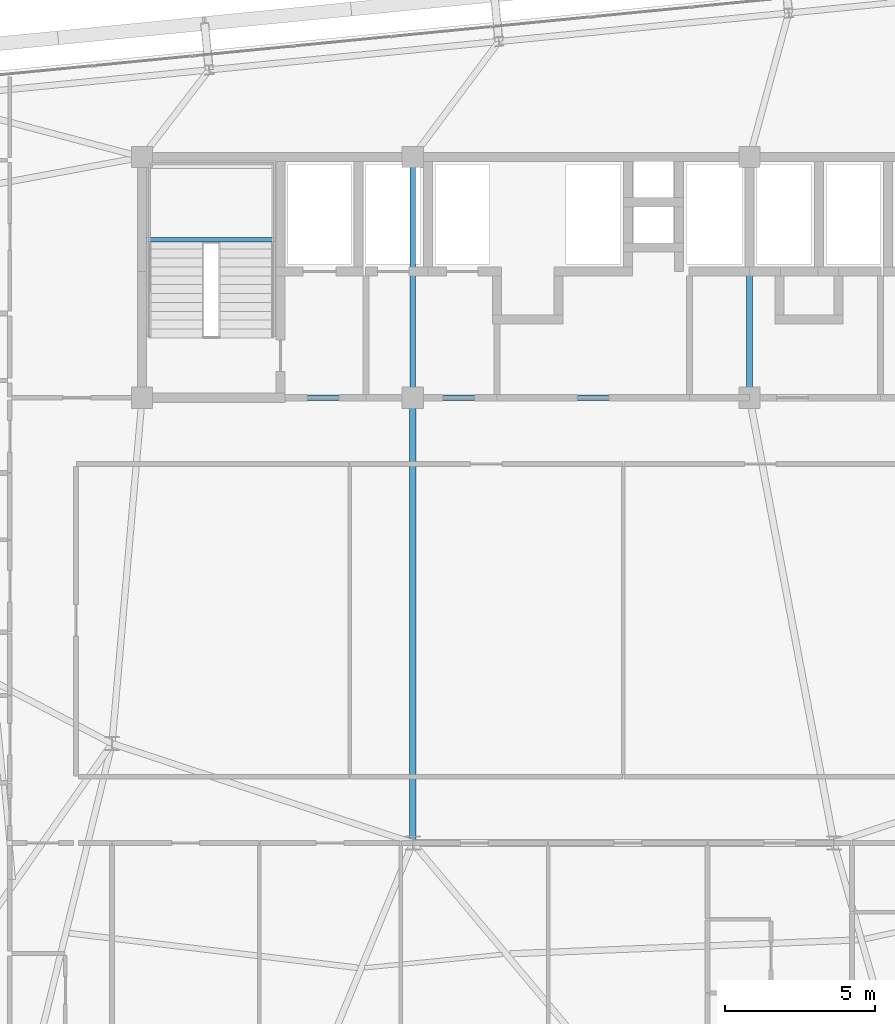
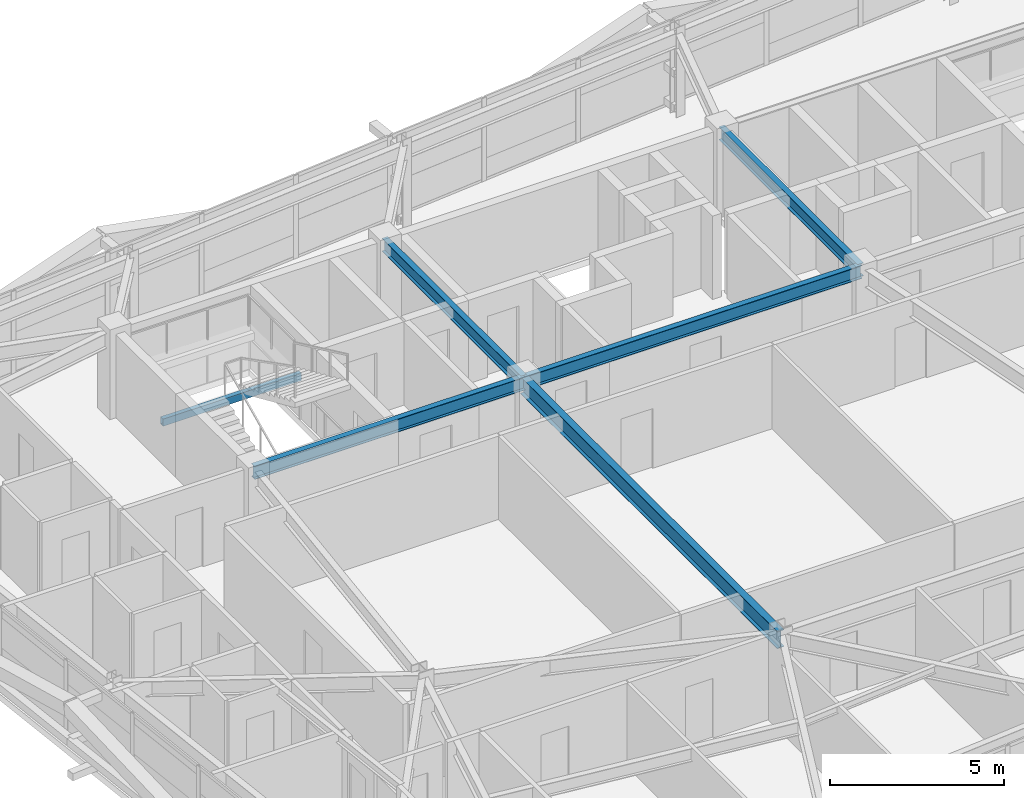
# One storey, part 16 of 53: 6 beams.
"""IFC4 building model written with IfcOpenShell, lengths in metres."""

from ifc_helpers import new_model, si_unit, direction, frame, origin, origin_2d, place, context, subcontext, project, spatial, hollow_rectangle, i_section, extrude, source, transform, mapped, material, material_profile, profile_set, type_object, element, save


model = new_model("IFC4")

# Units and contexts
model_context = context("Model", 3, precision=1e-05, world=origin(), true_north=direction((0.0, 1.0)))
body_context = subcontext(model_context, "Body", "Model", "MODEL_VIEW")
ifc_project = project(units=[si_unit("LENGTHUNIT", "METRE"), si_unit("AREAUNIT", "SQUARE_METRE"), si_unit("VOLUMEUNIT", "CUBIC_METRE"), si_unit("PLANEANGLEUNIT", "RADIAN"), si_unit("MASSUNIT", "GRAM", prefix="KILO")], contexts=[model_context])

# Site, building, storey
site_placement = place(None, origin())
site = spatial("IfcSite", under=ifc_project, at=site_placement, CompositionType="ELEMENT")
building_placement = place(site_placement, origin())
building = spatial("IfcBuilding", under=site, at=building_placement, Name="Taldren Reach Tower", CompositionType="ELEMENT")
storey_placement = place(building_placement, frame((0.0, 0.0, 68.25)))
storey = spatial("IfcBuildingStorey", under=building, at=storey_placement, Name="L20", CompositionType="ELEMENT", Elevation=68.25)

# Beams
ifc_material_1 = material(Name="Steel Gr 350 (350PLUS)", Category="steel")
ifc_material_profile_1 = material_profile(ifc_material_1, i_section(OverallWidth=0.19091796875, OverallDepth=0.4599609375, WebThickness=0.010009765625, FlangeThickness=0.01611328125, at=origin_2d()), Name="460UB82.1")
ifc_profile_set_1 = profile_set([ifc_material_profile_1], Name="Steel Gr 350 (350PLUS)")
beam_type_1 = type_object("IfcBeamType", Name="BM-UB460A", PredefinedType="BEAM", material=ifc_profile_set_1)
shared_shape_1 = source(origin(), body_context, "Body", "SweptSolid", [
    extrude(i_section(OverallWidth=0.19091796875, OverallDepth=0.4599609375, WebThickness=0.010009765625, FlangeThickness=0.01611328125, at=origin_2d()), origin(), (0.0, 0.0, 1.0), 9.0),
])
beam_1_placement = place(storey_placement, frame((19.0, 24.0, 2.699951171875), z_axis=(1.0, 0.0, 0.0), x_axis=(0.0, 1.0, 0.0)))
element("IfcBeam", 1, at=beam_1_placement, inside=storey, type_object=beam_type_1, Name="Core-spine girder L20-SP01", PredefinedType="BEAM", context=body_context, shape_type="MappedRepresentation", body=[
    mapped(shared_shape_1, transform((0.0, 0.0, 0.0), scale=1.0)),
])
shared_shape_2 = source(origin(), body_context, "Body", "SweptSolid", [
    extrude(i_section(OverallWidth=0.19091796875, OverallDepth=0.4599609375, WebThickness=0.010009765625, FlangeThickness=0.01611328125, at=origin_2d()), origin(), (0.0, 0.0, 1.0), 11.199951171875),
])
beam_2_placement = place(storey_placement, frame((28.0, 24.0, 2.699951171875), z_axis=(1.0, 0.0, 0.0), x_axis=(0.0, 1.0, 0.0)))
element("IfcBeam", 2, at=beam_2_placement, inside=storey, type_object=beam_type_1, Name="Core-spine girder L20-SP02", PredefinedType="BEAM", context=body_context, shape_type="MappedRepresentation", body=[
    mapped(shared_shape_2, transform((0.0, 0.0, 0.0), scale=1.0)),
])
shared_shape_3 = source(origin(), body_context, "Body", "SweptSolid", [
    extrude(i_section(OverallWidth=0.19091796875, OverallDepth=0.4599609375, WebThickness=0.010009765625, FlangeThickness=0.01611328125, at=origin_2d()), origin(), (0.0, 0.0, 1.0), 8.0),
])
for number, where, z_axis, x_axis, name in (
    (3, (28.0, 24.0, 2.699951171875), (0.0, 1.0, 0.0), (-1.0, 0.0, 0.0), "Core-spine girder L20-SP07"),
    (4, (39.199951171875, 24.0, 2.699951171875), (0.0, 1.0, 0.0), (-1.0, 0.0, 0.0), "Core-spine girder L20-SP08"),
):
    element("IfcBeam", number, at=place(storey_placement, frame(where, z_axis=z_axis, x_axis=x_axis)), inside=storey, type_object=beam_type_1, Name=name, PredefinedType="BEAM", context=body_context, shape_type="MappedRepresentation", body=[
        mapped(shared_shape_3, transform((0.0, 0.0, 0.0), scale=1.0)),
    ])
ifc_material_profile_2 = material_profile(ifc_material_1, i_section(OverallWidth=0.22802734375, OverallDepth=0.60205078125, WebThickness=0.010498046875, FlangeThickness=0.014892578125, at=origin_2d()), Name="610UB101")
ifc_profile_set_2 = profile_set([ifc_material_profile_2], Name="Steel Gr 350 (350PLUS)")
beam_type_2 = type_object("IfcBeamType", Name="BM-UB610B", PredefinedType="BEAM", material=ifc_profile_set_2)
shared_shape_4 = source(origin(), body_context, "Body", "SweptSolid", [
    extrude(i_section(OverallWidth=0.22802734375, OverallDepth=0.60205078125, WebThickness=0.010498046875, FlangeThickness=0.014892578125, at=origin_2d()), origin(), (0.0, 0.0, 1.0), 14.800048828125),
])
beam_3_placement = place(storey_placement, frame((28.0, 24.0, 2.62890625), z_axis=(0.0, -1.0, 0.0), x_axis=(1.0, 0.0, 0.0)))
element("IfcBeam", 5, at=beam_3_placement, inside=storey, type_object=beam_type_2, Name="Core-spine girder L20-SP14", PredefinedType="BEAM", context=body_context, shape_type="MappedRepresentation", body=[
    mapped(shared_shape_4, transform((0.0, 0.0, 0.0), scale=1.0)),
])
ifc_material_2 = material(Name="Steel Gr 350 (C350L0)", Category="steel")
ifc_material_profile_3 = material_profile(ifc_material_2, hollow_rectangle(XDim=0.14990234375, YDim=0.25, WallThickness=0.009033203125, at=origin_2d()), Name="250x150x9.0RHS")
ifc_profile_set_3 = profile_set([ifc_material_profile_3], Name="Steel Gr 350 (C350L0)")
beam_type_3 = type_object("IfcBeamType", Name="LN-RHS250", PredefinedType="LINTEL", material=ifc_profile_set_3)
shared_shape_5 = source(origin(), body_context, "Body", "SweptSolid", [
    extrude(hollow_rectangle(XDim=0.14990234375, YDim=0.25, WallThickness=0.009033203125, at=origin_2d()), origin(), (0.0, 0.0, 1.0), 4.60009765625),
])
beam_4_placement = place(storey_placement, frame((19.0, 29.2548828125, 1.27001953125), z_axis=(1.0, 0.0, 0.0), x_axis=(0.0, 1.0, 0.0)))
element("IfcBeam", 6, at=beam_4_placement, inside=storey, type_object=beam_type_3, Name="Stair half-landing support beam ST1-L20-1", PredefinedType="LINTEL", context=body_context, shape_type="MappedRepresentation", body=[
    mapped(shared_shape_5, transform((0.0, 0.0, 0.0), scale=1.0)),
])

save(model, "model.ifc")
